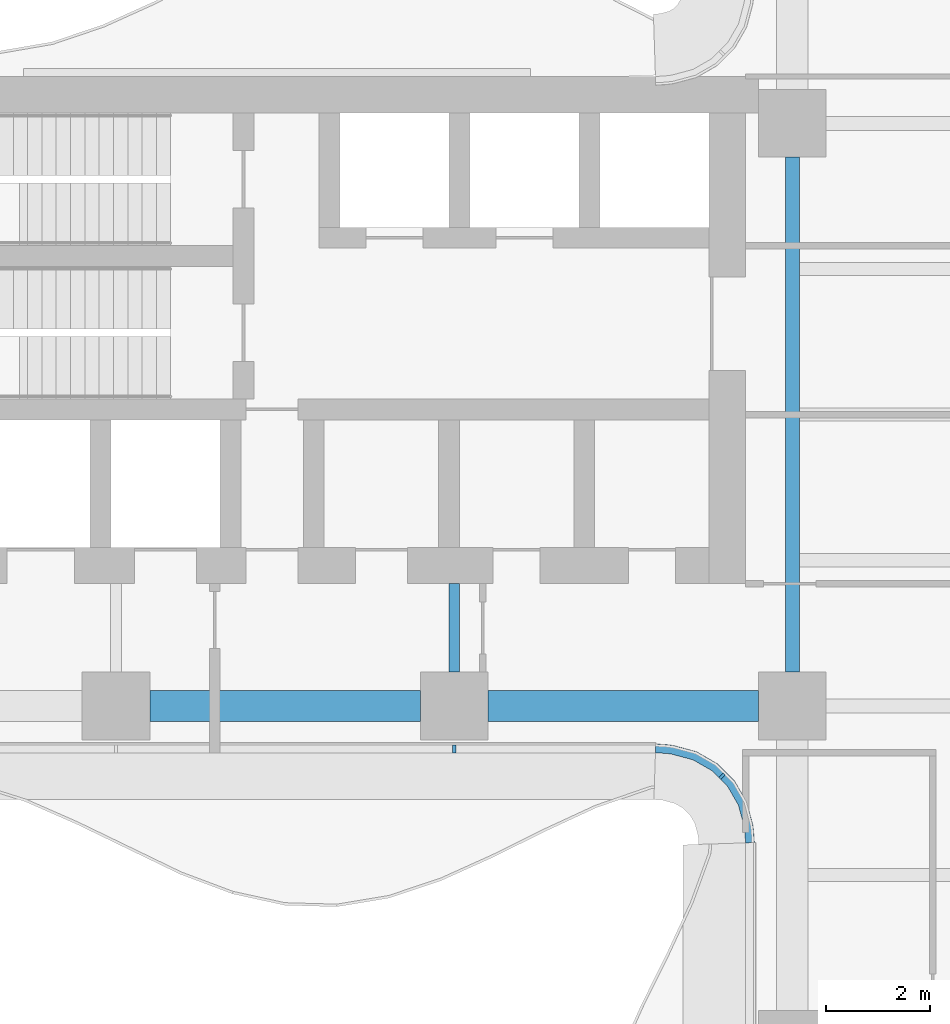
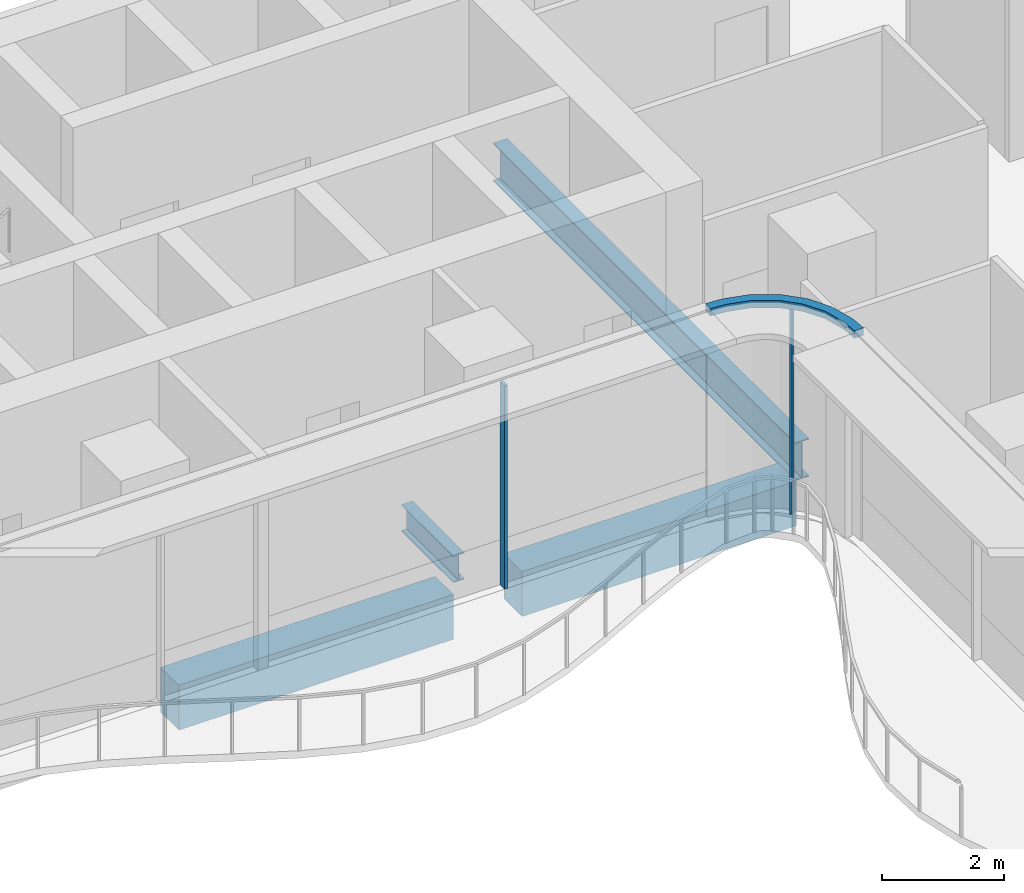
# One storey, part 4 of 21: 4 beams, 3 members, 2 elements without a shape of their own.
"""IFC4 building model written with IfcOpenShell, lengths in metres."""

from ifc_helpers import new_model, si_unit, direction, frame, origin, origin_2d, place, context, subcontext, project, spatial, polyline, rectangle, i_section, outline, extrude, source, transform, mapped, material, layer, layer_set, material_profile, profile_set, type_object, element, aggregate, save


model = new_model("IFC4")

# Units and contexts
model_context = context("Model", 3, precision=1e-05, world=origin(), true_north=direction((0.0, 1.0)))
body_context = subcontext(model_context, "Body", "Model", "MODEL_VIEW")
ifc_project = project(units=[si_unit("LENGTHUNIT", "METRE"), si_unit("AREAUNIT", "SQUARE_METRE"), si_unit("VOLUMEUNIT", "CUBIC_METRE"), si_unit("PLANEANGLEUNIT", "RADIAN"), si_unit("MASSUNIT", "GRAM", prefix="KILO")], contexts=[model_context])

# Site, building, storey
site_placement = place(None, origin())
site = spatial("IfcSite", under=ifc_project, at=site_placement, CompositionType="ELEMENT")
building_placement = place(site_placement, origin())
building = spatial("IfcBuilding", under=site, at=building_placement, Name="Trellis Farm Tower", CompositionType="ELEMENT")
storey_placement = place(building_placement, frame((0.0, 0.0, 106.5)))
storey = spatial("IfcBuildingStorey", under=building, at=storey_placement, Name="L22", CompositionType="ELEMENT", Elevation=106.5)

# Beams
ifc_material_1 = material(Name="Steel S355", Category="steel")
ifc_material_profile_1 = material_profile(ifc_material_1, i_section(OverallWidth=0.2666015625, OverallDepth=0.76220703125, WebThickness=0.014404296875, FlangeThickness=0.021484375, FilletRadius=0.0166015625, at=origin_2d()), Name="UB 762x267x173")
ifc_profile_set_1 = profile_set([ifc_material_profile_1], Name="Steel S355")
beam_type_1 = type_object("IfcBeamType", Name="UB 762x267x173", PredefinedType="BEAM", material=ifc_profile_set_1)
shared_shape_1 = source(origin(), body_context, "Body", "SweptSolid", [
    extrude(i_section(OverallWidth=0.2666015625, OverallDepth=0.76220703125, WebThickness=0.014404296875, FlangeThickness=0.021484375, FilletRadius=0.0166015625, at=origin_2d()), origin(), (0.0, 0.0, 1.0), 9.89990234375),
])
beam_1_placement = place(storey_placement, frame((-5.60009765625, -4.949951171875, -0.631103515625), z_axis=(0.0, 1.0, 0.0), x_axis=(-1.0, 0.0, 0.0)))
element("IfcBeam", 1, at=beam_1_placement, inside=storey, type_object=beam_type_1, Name="Girder", PredefinedType="BEAM", context=body_context, shape_type="MappedRepresentation", body=[
    mapped(shared_shape_1, transform((0.0, 0.0, 0.0))),
])
ifc_material_profile_2 = material_profile(ifc_material_1, i_section(OverallWidth=0.209228515625, OverallDepth=0.533203125, WebThickness=0.010009765625, FlangeThickness=0.015625, FilletRadius=0.0126953125, at=origin_2d()), Name="UB 533x210x92")
ifc_profile_set_2 = profile_set([ifc_material_profile_2], Name="Steel S355")
beam_type_2 = type_object("IfcBeamType", Name="UB 533x210x92", PredefinedType="BEAM", material=ifc_profile_set_2)
shared_shape_2 = source(origin(), body_context, "Body", "SweptSolid", [
    extrude(i_section(OverallWidth=0.209228515625, OverallDepth=0.533203125, WebThickness=0.010009765625, FlangeThickness=0.015625, FilletRadius=0.0126953125, at=origin_2d()), origin(), (0.0, 0.0, 1.0), 1.699951171875),
])
beam_2_placement = place(storey_placement, frame((-12.10009765625, -4.949951171875, -0.5166015625), z_axis=(0.0, 1.0, 0.0), x_axis=(-1.0, 0.0, 0.0)))
element("IfcBeam", 2, at=beam_2_placement, inside=storey, type_object=beam_type_2, Name="Girder", PredefinedType="BEAM", context=body_context, shape_type="MappedRepresentation", body=[
    mapped(shared_shape_2, transform((0.0, 0.0, 0.0))),
])
ifc_material_2 = material(Name="Concrete C60/75", Category="concrete")
ifc_material_profile_3 = material_profile(ifc_material_2, rectangle(XDim=0.60009765625, YDim=0.89990234375, at=origin_2d()), Name="RC spandrel beam 600x900 C60/75")
ifc_profile_set_3 = profile_set([ifc_material_profile_3], Name="Concrete C60/75")
beam_type_3 = type_object("IfcBeamType", Name="RC spandrel beam 600x900 C60/75", PredefinedType="SPANDREL", material=ifc_profile_set_3)
shared_shape_3 = source(origin(), body_context, "Body", "SweptSolid", [
    extrude(rectangle(XDim=0.60009765625, YDim=0.89990234375, at=origin_2d()), origin(), (0.0, 0.0, 1.0), 5.199951171875),
])
for number, where, z_axis, x_axis, name in (
    (3, (-17.949951171875, -5.60009765625, -0.699951171875), (1.0, 0.0, 0.0), (0.0, 1.0, 0.0), "Girder"),
    (4, (-11.449951171875, -5.60009765625, -0.699951171875), (1.0, 0.0, 0.0), (0.0, 1.0, 0.0), "Girder"),
):
    element("IfcBeam", number, at=place(storey_placement, frame(where, z_axis=z_axis, x_axis=x_axis)), inside=storey, type_object=beam_type_3, Name=name, PredefinedType="SPANDREL", context=body_context, shape_type="MappedRepresentation", body=[
        mapped(shared_shape_3, transform((0.0, 0.0, 0.0))),
    ])

# Curtain wall, member
ifc_material_3 = material(Name="Aluminium and glass curtain wall", Category="aluminium")
ifc_layer_1 = layer(ifc_material_3, 0.18994140625)
ifc_layer_set_1 = layer_set([ifc_layer_1], Name="RIBBON CURTAIN WALL CW1")
curtain_wall_type_1 = type_object("IfcCurtainWallType", Name="RIBBON CURTAIN WALL CW1", PredefinedType="NOTDEFINED", material=ifc_layer_set_1)
placement = place(storey_placement, origin())
curtain_wall_1 = element("IfcCurtainWall", 5, at=placement, inside=storey, type_object=curtain_wall_type_1, Name="CW1 001", PredefinedType="NOTDEFINED")
ifc_material_4 = material(Name="Aluminium extrusion 6063-T6", Category="aluminium")
ifc_material_profile_4 = material_profile(ifc_material_4, rectangle(XDim=0.06005859375, YDim=0.14990234375, at=origin_2d()), Name="MULLION 60x150")
ifc_profile_set_4 = profile_set([ifc_material_profile_4], Name="Aluminium extrusion 6063-T6")
member_type_1 = type_object("IfcMemberType", Name="CW1 MULLION 60x150", PredefinedType="MULLION", material=ifc_profile_set_4)
shared_shape_4 = source(origin(), body_context, "Body", "SweptSolid", [
    extrude(rectangle(XDim=0.06005859375, YDim=0.14990234375, at=origin_2d()), origin(), (0.0, 0.0, 1.0), 4.070068359375),
])
member_1_placement = place(storey_placement, frame((-12.10009765625, -6.425048828125, 0.0), z_axis=(0.0, 0.0, 1.0), x_axis=(1.0, 0.0, 0.0)))
member_1 = element("IfcMember", 6, at=member_1_placement, type_object=member_type_1, Name="MU1 001-03", PredefinedType="MULLION", context=body_context, shape_type="MappedRepresentation", body=[
    mapped(shared_shape_4, transform((0.0, 0.0, 0.0))),
])
aggregate(curtain_wall_1, [member_1])

# Curtain wall, members
ifc_layer_2 = layer(ifc_material_3, 0.166015625)
ifc_layer_set_2 = layer_set([ifc_layer_2], Name="WINTER GARDEN CURTAIN WALL CW3")
curtain_wall_type_2 = type_object("IfcCurtainWallType", Name="WINTER GARDEN CURTAIN WALL CW3", PredefinedType="NOTDEFINED", material=ifc_layer_set_2)
curtain_wall_2 = element("IfcCurtainWall", 7, at=placement, inside=storey, type_object=curtain_wall_type_2, Name="CW3 001", PredefinedType="NOTDEFINED")
ifc_material_profile_5 = material_profile(ifc_material_4, rectangle(XDim=0.050048828125, YDim=0.1201171875, at=origin_2d()), Name="MULLION 50x120")
ifc_profile_set_5 = profile_set([ifc_material_profile_5], Name="Aluminium extrusion 6063-T6")
member_type_2 = type_object("IfcMemberType", Name="CW3 MULLION 50x120", PredefinedType="MULLION", material=ifc_profile_set_5)
shared_shape_5 = source(origin(), body_context, "Body", "SweptSolid", [
    extrude(rectangle(XDim=0.050048828125, YDim=0.1201171875, at=origin_2d()), origin(), (0.0, 0.0, 1.0), 4.10009765625),
])
member_2_placement = place(storey_placement, frame((-6.953125, -6.953125, 0.0), z_axis=(0.0, 0.0, 1.0), x_axis=(0.707106781187, -0.707106781187, 0.0)))
member_2 = element("IfcMember", 8, at=member_2_placement, type_object=member_type_2, Name="MU3 001-01", PredefinedType="MULLION", context=body_context, shape_type="MappedRepresentation", body=[
    mapped(shared_shape_5, transform((0.0, 0.0, 0.0))),
])
ifc_layer_3 = layer(ifc_material_4, 0.169921875)
ifc_layer_set_3 = layer_set([ifc_layer_3], Name="Aluminium extrusion 6063-T6")
member_type_3 = type_object("IfcMemberType", Name="CW3 TRANSOM 170x150", PredefinedType="USERDEFINED", material=ifc_layer_set_3)
shared_shape_6 = source(origin(), body_context, "Body", "SweptSolid", [
    extrude(outline(polyline([(-8.2314453125, -6.5), (-8.01953125, -6.513916015625), (-7.91552734375, -6.527587890625), (-7.508544921875, -6.63671875), (-7.144287109375, -6.846923828125), (-6.846923828125, -7.144287109375), (-6.63671875, -7.508544921875), (-6.527587890625, -7.91552734375), (-6.513916015625, -8.01953125), (-6.5, -8.2314453125), (-6.330078125, -8.225830078125), (-6.3447265625, -8.0029296875), (-6.360595703125, -7.88232421875), (-6.478271484375, -7.44287109375), (-6.7109375, -7.0400390625), (-7.0400390625, -6.7109375), (-7.44287109375, -6.478271484375), (-7.88232421875, -6.360595703125), (-8.0029296875, -6.3447265625), (-8.225830078125, -6.330078125), (-8.2314453125, -6.5)])), origin(), (0.0, 0.0, 1.0), 0.14990234375),
])
member_3_placement = place(storey_placement, frame((0.0, 0.0, 4.10009765625)))
member_3 = element("IfcMember", 9, at=member_3_placement, type_object=member_type_3, Name="TR3 001", ObjectType="TRANSOM", PredefinedType="USERDEFINED", context=body_context, shape_type="MappedRepresentation", body=[
    mapped(shared_shape_6, transform((0.0, 0.0, 0.0))),
])
aggregate(curtain_wall_2, [member_2, member_3])

save(model, "model.ifc")
